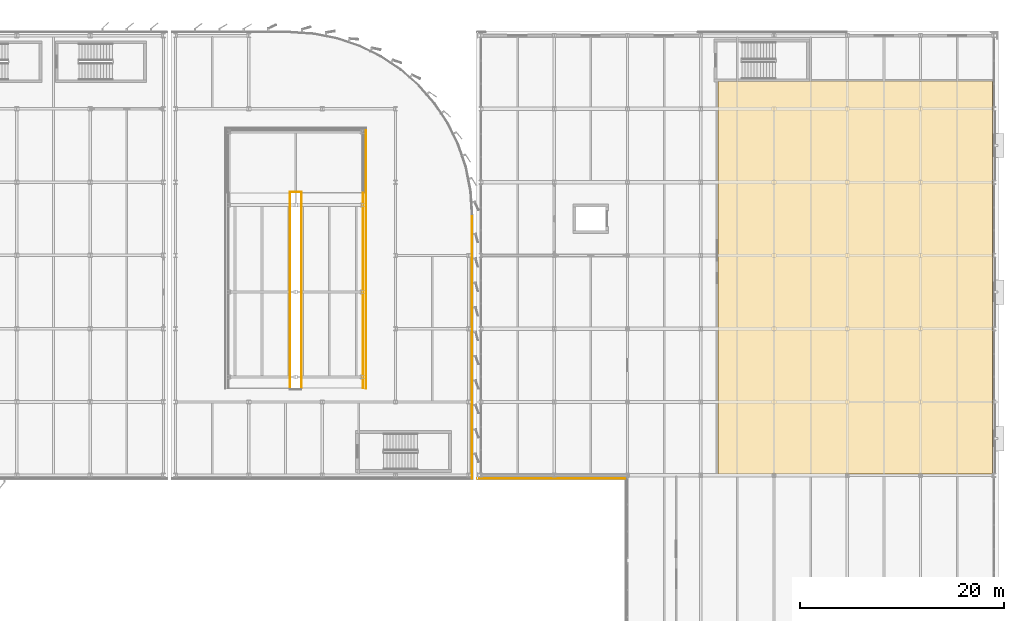
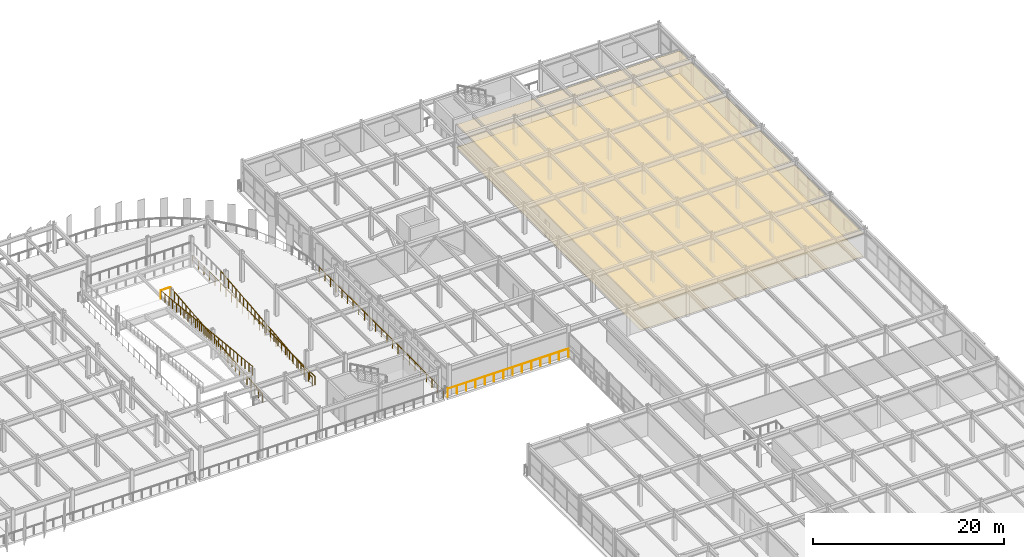
# One storey, part 90 of 93: 16 railings, 2 coverings.
"""IFC4 building model written with IfcOpenShell, lengths in metres."""

from ifc_helpers import new_model, si_unit, direction, frame, origin, origin_2d, place, context, subcontext, project, spatial, polyline, circle, outline, extrude, material, layer, layer_set, type_object, element, save


model = new_model("IFC4")

# Units and contexts
model_context = context("Model", 3, precision=1e-05, world=origin(), true_north=direction((0.0, 1.0)))
body_context = subcontext(model_context, "Body", "Model", "MODEL_VIEW")
ifc_project = project(units=[si_unit("LENGTHUNIT", "METRE"), si_unit("AREAUNIT", "SQUARE_METRE"), si_unit("VOLUMEUNIT", "CUBIC_METRE"), si_unit("PLANEANGLEUNIT", "RADIAN"), si_unit("MASSUNIT", "GRAM", prefix="KILO")], contexts=[model_context])

# Site, building, storey
site_placement = place(None, origin())
site = spatial("IfcSite", under=ifc_project, at=site_placement, CompositionType="ELEMENT")
building_placement = place(site_placement, origin())
building = spatial("IfcBuilding", under=site, at=building_placement, Name="Vaelcorin Mobility Hub", CompositionType="ELEMENT")
storey_placement = place(building_placement, frame((0.0, 0.0, 5.39990234375)))
storey = spatial("IfcBuildingStorey", under=building, at=storey_placement, Name="L01", CompositionType="ELEMENT", Elevation=5.39990234375)

# Coverings
ifc_material_1 = material(Name="Perforated acoustic mineral-fibre ceiling tile")
ifc_layer_1 = layer(ifc_material_1, 0.030029296875)
ifc_layer_set_1 = layer_set([ifc_layer_1], Name="Perforated acoustic mineral-fibre ceiling tile")
covering_type_1 = type_object("IfcCoveringType", Name="COV-CEIL-3", PredefinedType="CEILING", material=ifc_layer_set_1)
covering_1_placement = place(storey_placement, frame((0.0, 0.0, 2.88818359375)))
element("IfcCovering", 1, at=covering_1_placement, inside=storey, type_object=covering_type_1, Name="Upper Tier E-Bike Charging Store Acoustic Ceiling", PredefinedType="CEILING", context=body_context, shape_type="SweptSolid", body=[
    extrude(outline(polyline([(176.93994140625, 76.93994140625), (176.93408203125, 76.93994140625), (176.927978515625, 76.94091796875), (176.923095703125, 76.943115234375), (176.9169921875, 76.945068359375), (176.912109375, 76.947021484375), (176.906982421875, 76.949951171875), (176.902099609375, 76.9541015625), (176.89794921875, 76.9580078125), (176.89404296875, 76.9619140625), (176.889892578125, 76.967041015625), (176.886962890625, 76.971923828125), (176.885009765625, 76.97705078125), (176.883056640625, 76.98291015625), (176.881103515625, 76.988037109375), (176.8798828125, 76.993896484375), (176.8798828125, 77.0), (176.8798828125, 115.4599609375), (176.8798828125, 115.466064453125), (176.881103515625, 115.471923828125), (176.883056640625, 115.47705078125), (176.885009765625, 115.48291015625), (176.886962890625, 115.488037109375), (176.889892578125, 115.492919921875), (176.89404296875, 115.498046875), (176.89794921875, 115.501953125), (176.902099609375, 115.506103515625), (176.906982421875, 115.510009765625), (176.912109375, 115.512939453125), (176.9169921875, 115.514892578125), (176.923095703125, 115.51708984375), (176.927978515625, 115.51904296875), (176.93408203125, 115.52001953125), (176.93994140625, 115.52001953125), (203.800048828125, 115.52001953125), (203.805908203125, 115.52001953125), (203.81201171875, 115.51904296875), (203.81689453125, 115.51708984375), (203.822998046875, 115.514892578125), (203.827880859375, 115.512939453125), (203.8330078125, 115.510009765625), (203.837890625, 115.506103515625), (203.842041015625, 115.501953125), (203.845947265625, 115.498046875), (203.85009765625, 115.492919921875), (203.85302734375, 115.488037109375), (203.85498046875, 115.48291015625), (203.85693359375, 115.47705078125), (203.85888671875, 115.471923828125), (203.860107421875, 115.466064453125), (203.860107421875, 115.4599609375), (203.860107421875, 77.0), (203.860107421875, 76.993896484375), (203.85888671875, 76.988037109375), (203.85693359375, 76.98291015625), (203.85498046875, 76.97705078125), (203.85302734375, 76.971923828125), (203.85009765625, 76.967041015625), (203.845947265625, 76.9619140625), (203.842041015625, 76.9580078125), (203.837890625, 76.9541015625), (203.8330078125, 76.949951171875), (203.827880859375, 76.947021484375), (203.822998046875, 76.945068359375), (203.81689453125, 76.943115234375), (203.81201171875, 76.94091796875), (203.805908203125, 76.93994140625), (203.800048828125, 76.93994140625), (176.93994140625, 76.93994140625)])), origin(), (0.0, 0.0, 1.0), 0.030029296875),
])
ifc_material_2 = material(Name="Polished epoxy-terrazzo concourse flooring")
ifc_layer_2 = layer(ifc_material_2, 0.01806640625)
ifc_layer_set_2 = layer_set([ifc_layer_2], Name="Polished epoxy-terrazzo concourse flooring")
covering_type_2 = type_object("IfcCoveringType", Name="COV-FLR-1", PredefinedType="FLOORING", material=ifc_layer_set_2)
covering_2_placement = place(storey_placement, origin())
element("IfcCovering", 2, at=covering_2_placement, inside=storey, type_object=covering_type_2, Name="Upper Tier E-Bike Charging Store Finish Flooring", PredefinedType="FLOORING", context=body_context, shape_type="SweptSolid", body=[
    extrude(outline(polyline([(176.93994140625, 76.93994140625), (176.93408203125, 76.93994140625), (176.927978515625, 76.94091796875), (176.923095703125, 76.943115234375), (176.9169921875, 76.945068359375), (176.912109375, 76.947021484375), (176.906982421875, 76.949951171875), (176.902099609375, 76.9541015625), (176.89794921875, 76.9580078125), (176.89404296875, 76.9619140625), (176.889892578125, 76.967041015625), (176.886962890625, 76.971923828125), (176.885009765625, 76.97705078125), (176.883056640625, 76.98291015625), (176.881103515625, 76.988037109375), (176.8798828125, 76.993896484375), (176.8798828125, 77.0), (176.8798828125, 115.4599609375), (176.8798828125, 115.466064453125), (176.881103515625, 115.471923828125), (176.883056640625, 115.47705078125), (176.885009765625, 115.48291015625), (176.886962890625, 115.488037109375), (176.889892578125, 115.492919921875), (176.89404296875, 115.498046875), (176.89794921875, 115.501953125), (176.902099609375, 115.506103515625), (176.906982421875, 115.510009765625), (176.912109375, 115.512939453125), (176.9169921875, 115.514892578125), (176.923095703125, 115.51708984375), (176.927978515625, 115.51904296875), (176.93408203125, 115.52001953125), (176.93994140625, 115.52001953125), (203.800048828125, 115.52001953125), (203.805908203125, 115.52001953125), (203.81201171875, 115.51904296875), (203.81689453125, 115.51708984375), (203.822998046875, 115.514892578125), (203.827880859375, 115.512939453125), (203.8330078125, 115.510009765625), (203.837890625, 115.506103515625), (203.842041015625, 115.501953125), (203.845947265625, 115.498046875), (203.85009765625, 115.492919921875), (203.85302734375, 115.488037109375), (203.85498046875, 115.48291015625), (203.85693359375, 115.47705078125), (203.85888671875, 115.471923828125), (203.860107421875, 115.466064453125), (203.860107421875, 115.4599609375), (203.860107421875, 77.0), (203.860107421875, 76.993896484375), (203.85888671875, 76.988037109375), (203.85693359375, 76.98291015625), (203.85498046875, 76.97705078125), (203.85302734375, 76.971923828125), (203.85009765625, 76.967041015625), (203.845947265625, 76.9619140625), (203.842041015625, 76.9580078125), (203.837890625, 76.9541015625), (203.8330078125, 76.949951171875), (203.827880859375, 76.947021484375), (203.822998046875, 76.945068359375), (203.81689453125, 76.943115234375), (203.81201171875, 76.94091796875), (203.805908203125, 76.93994140625), (203.800048828125, 76.93994140625), (176.93994140625, 76.93994140625)])), origin(), (0.0, 0.0, 1.0), 0.01806640625),
])

# Railings
ifc_material_3 = material(Name="Galvanised structural steel ASTM A36", Category="steel")
ifc_layer_3 = layer(ifc_material_3, 0.070068359375)
ifc_layer_set_3 = layer_set([ifc_layer_3], Name="Galvanised structural steel ASTM A36")
railing_type = type_object("IfcRailingType", Name="RL-GUARD-1100", PredefinedType="BALUSTRADE", material=ifc_layer_set_3)
railing_1_placement = place(storey_placement, frame((142.320068359375, 110.919921875, 0.0)))
element("IfcRailing", 3, at=railing_1_placement, inside=storey, type_object=railing_type, Name="L01 Perimeter Guard GR-V2E-L01-WELL-03", PredefinedType="BALUSTRADE", context=body_context, shape_type="SweptSolid", body=[
    extrude(circle(Radius=0.02392578125, at=origin_2d()), frame((0.0, 0.0, 1.076171875), z_axis=(0.0, -1.0, 0.0), x_axis=(1.0, 0.0, 0.0)), (0.0, 0.0, 1.0), 25.579833984375),
    extrude(circle(Radius=0.02099609375, at=origin_2d()), origin(), (0.0, 0.0, 1.0), 1.052001953125),
    extrude(circle(Radius=0.02099609375, at=origin_2d()), frame((0.0, -1.16259765625, 0.0)), (0.0, 0.0, 1.0), 1.052001953125),
    extrude(circle(Radius=0.02099609375, at=origin_2d()), frame((0.0, -2.325439453125, 0.0)), (0.0, 0.0, 1.0), 1.052001953125),
    extrude(circle(Radius=0.02099609375, at=origin_2d()), frame((0.0, -3.488037109375, 0.0)), (0.0, 0.0, 1.0), 1.052001953125),
    extrude(circle(Radius=0.02099609375, at=origin_2d()), frame((0.0, -4.65087890625, 0.0)), (0.0, 0.0, 1.0), 1.052001953125),
    extrude(circle(Radius=0.02099609375, at=origin_2d()), frame((0.0, -5.8134765625, 0.0)), (0.0, 0.0, 1.0), 1.052001953125),
    extrude(circle(Radius=0.02099609375, at=origin_2d()), frame((0.0, -6.976318359375, 0.0)), (0.0, 0.0, 1.0), 1.052001953125),
    extrude(circle(Radius=0.02099609375, at=origin_2d()), frame((0.0, -8.13916015625, 0.0)), (0.0, 0.0, 1.0), 1.052001953125),
    extrude(circle(Radius=0.02099609375, at=origin_2d()), frame((0.0, -9.3017578125, 0.0)), (0.0, 0.0, 1.0), 1.052001953125),
    extrude(circle(Radius=0.02099609375, at=origin_2d()), frame((0.0, -10.46435546875, 0.0)), (0.0, 0.0, 1.0), 1.052001953125),
    extrude(circle(Radius=0.02099609375, at=origin_2d()), frame((0.0, -11.627197265625, 0.0)), (0.0, 0.0, 1.0), 1.052001953125),
    extrude(circle(Radius=0.02099609375, at=origin_2d()), frame((0.0, -12.7900390625, 0.0)), (0.0, 0.0, 1.0), 1.052001953125),
    extrude(circle(Radius=0.02099609375, at=origin_2d()), frame((0.0, -13.95263671875, 0.0)), (0.0, 0.0, 1.0), 1.052001953125),
    extrude(circle(Radius=0.02099609375, at=origin_2d()), frame((0.0, -15.115234375, 0.0)), (0.0, 0.0, 1.0), 1.052001953125),
    extrude(circle(Radius=0.02099609375, at=origin_2d()), frame((0.0, -16.278076171875, 0.0)), (0.0, 0.0, 1.0), 1.052001953125),
    extrude(circle(Radius=0.02099609375, at=origin_2d()), frame((0.0, -17.44091796875, 0.0)), (0.0, 0.0, 1.0), 1.052001953125),
    extrude(circle(Radius=0.02099609375, at=origin_2d()), frame((0.0, -18.603515625, 0.0)), (0.0, 0.0, 1.0), 1.052001953125),
    extrude(circle(Radius=0.02099609375, at=origin_2d()), frame((0.0, -19.76611328125, 0.0)), (0.0, 0.0, 1.0), 1.052001953125),
    extrude(circle(Radius=0.02099609375, at=origin_2d()), frame((0.0, -20.928955078125, 0.0)), (0.0, 0.0, 1.0), 1.052001953125),
    extrude(circle(Radius=0.02099609375, at=origin_2d()), frame((0.0, -22.091796875, 0.0)), (0.0, 0.0, 1.0), 1.052001953125),
    extrude(circle(Radius=0.02099609375, at=origin_2d()), frame((0.0, -23.25439453125, 0.0)), (0.0, 0.0, 1.0), 1.052001953125),
    extrude(circle(Radius=0.02099609375, at=origin_2d()), frame((0.0, -24.4169921875, 0.0)), (0.0, 0.0, 1.0), 1.052001953125),
    extrude(circle(Radius=0.02099609375, at=origin_2d()), frame((0.0, -25.579833984375, 0.0)), (0.0, 0.0, 1.0), 1.052001953125),
])
railing_2_placement = place(storey_placement, frame((135.97998046875, 85.360107421875, 0.0)))
element("IfcRailing", 4, at=railing_2_placement, inside=storey, type_object=railing_type, Name="L01 Ramp Guard GR-V2E-L01-FL1-W-01", PredefinedType="BALUSTRADE", context=body_context, shape_type="SweptSolid", body=[
    extrude(circle(Radius=0.02392578125, at=origin_2d()), frame((0.0, 0.0, 1.076171875), z_axis=(0.0, 0.994860105467, 0.10125892825), x_axis=(-1.0, 0.0, 0.0)), (0.0, 0.0, 1.0), 4.819580078125),
    extrude(circle(Radius=0.02099609375, at=origin_2d()), origin(), (0.0, 0.0, 1.0), 1.052001953125),
    extrude(circle(Radius=0.02099609375, at=origin_2d()), frame((0.0, 0.799072265625, 0.081298828125)), (0.0, 0.0, 1.0), 1.052001953125),
    extrude(circle(Radius=0.02099609375, at=origin_2d()), frame((0.0, 1.598388671875, 0.16259765625)), (0.0, 0.0, 1.0), 1.052001953125),
    extrude(circle(Radius=0.02099609375, at=origin_2d()), frame((0.0, 2.3974609375, 0.244140625)), (0.0, 0.0, 1.0), 1.052001953125),
    extrude(circle(Radius=0.02099609375, at=origin_2d()), frame((0.0, 3.196533203125, 0.325439453125)), (0.0, 0.0, 1.0), 1.052001953125),
    extrude(circle(Radius=0.02099609375, at=origin_2d()), frame((0.0, 3.995849609375, 0.40673828125)), (0.0, 0.0, 1.0), 1.052001953125),
    extrude(circle(Radius=0.02099609375, at=origin_2d()), frame((0.0, 4.794921875, 0.488037109375)), (0.0, 0.0, 1.0), 1.052001953125),
])
railing_3_placement = place(storey_placement, frame((135.97998046875, 90.155029296875, 0.488037109375)))
element("IfcRailing", 5, at=railing_3_placement, inside=storey, type_object=railing_type, Name="L01 Ramp Guard GR-V2E-L01-FL1-W-02", PredefinedType="BALUSTRADE", context=body_context, shape_type="SweptSolid", body=[
    extrude(circle(Radius=0.02392578125, at=origin_2d()), frame((0.0, 0.0, 1.076171875), z_axis=(0.0, 0.994880497217, 0.101058380445), x_axis=(-1.0, 0.0, 0.0)), (0.0, 0.0, 1.0), 4.819580078125),
    extrude(circle(Radius=0.02099609375, at=origin_2d()), origin(), (0.0, 0.0, 1.0), 1.052001953125),
    extrude(circle(Radius=0.02099609375, at=origin_2d()), frame((0.0, 0.799072265625, 0.0810546875)), (0.0, 0.0, 1.0), 1.052001953125),
    extrude(circle(Radius=0.02099609375, at=origin_2d()), frame((0.0, 1.598388671875, 0.162353515625)), (0.0, 0.0, 1.0), 1.052001953125),
    extrude(circle(Radius=0.02099609375, at=origin_2d()), frame((0.0, 2.3974609375, 0.24365234375)), (0.0, 0.0, 1.0), 1.052001953125),
    extrude(circle(Radius=0.02099609375, at=origin_2d()), frame((0.0, 3.196533203125, 0.32470703125)), (0.0, 0.0, 1.0), 1.052001953125),
    extrude(circle(Radius=0.02099609375, at=origin_2d()), frame((0.0, 3.995849609375, 0.40576171875)), (0.0, 0.0, 1.0), 1.052001953125),
    extrude(circle(Radius=0.02099609375, at=origin_2d()), frame((0.0, 4.794921875, 0.487060546875)), (0.0, 0.0, 1.0), 1.052001953125),
])
railing_4_placement = place(storey_placement, frame((135.97998046875, 94.949951171875, 0.97509765625)))
element("IfcRailing", 6, at=railing_4_placement, inside=storey, type_object=railing_type, Name="L01 Ramp Guard GR-V2E-L01-FL1-W-03", PredefinedType="BALUSTRADE", context=body_context, shape_type="SweptSolid", body=[
    extrude(circle(Radius=0.02392578125, at=origin_2d()), frame((0.0, 0.0, 1.076171875), z_axis=(0.0, 0.994881014515, 0.101053287712), x_axis=(-1.0, 0.0, 0.0)), (0.0, 0.0, 1.0), 4.81982421875),
    extrude(circle(Radius=0.02099609375, at=origin_2d()), origin(), (0.0, 0.0, 1.0), 1.052001953125),
    extrude(circle(Radius=0.02099609375, at=origin_2d()), frame((0.0, 0.79931640625, 0.0810546875)), (0.0, 0.0, 1.0), 1.052001953125),
    extrude(circle(Radius=0.02099609375, at=origin_2d()), frame((0.0, 1.598388671875, 0.162353515625)), (0.0, 0.0, 1.0), 1.052001953125),
    extrude(circle(Radius=0.02099609375, at=origin_2d()), frame((0.0, 2.3974609375, 0.24365234375)), (0.0, 0.0, 1.0), 1.052001953125),
    extrude(circle(Radius=0.02099609375, at=origin_2d()), frame((0.0, 3.19677734375, 0.32470703125)), (0.0, 0.0, 1.0), 1.052001953125),
    extrude(circle(Radius=0.02099609375, at=origin_2d()), frame((0.0, 3.99609375, 0.40576171875)), (0.0, 0.0, 1.0), 1.052001953125),
    extrude(circle(Radius=0.02099609375, at=origin_2d()), frame((0.0, 4.795166015625, 0.487060546875)), (0.0, 0.0, 1.0), 1.052001953125),
])
for number, where, name in (
    (7, (135.97998046875, 99.7451171875, 1.462158203125), "L01 Ramp Guard GR-V2E-L01-FL1-W-04"),
    (8, (142.02001953125, 85.360107421875, 0.0), "L01 Ramp Guard GR-V2E-L01-FL1-E-01"),
):
    element("IfcRailing", number, at=place(storey_placement, frame(where)), inside=storey, type_object=railing_type, Name=name, PredefinedType="BALUSTRADE", context=body_context, shape_type="SweptSolid", body=[
        extrude(circle(Radius=0.02392578125, at=origin_2d()), frame((0.0, 0.0, 1.076171875), z_axis=(0.0, 0.994860105467, 0.10125892825), x_axis=(-1.0, 0.0, 0.0)), (0.0, 0.0, 1.0), 4.819580078125),
        extrude(circle(Radius=0.02099609375, at=origin_2d()), origin(), (0.0, 0.0, 1.0), 1.052001953125),
        extrude(circle(Radius=0.02099609375, at=origin_2d()), frame((0.0, 0.799072265625, 0.081298828125)), (0.0, 0.0, 1.0), 1.052001953125),
        extrude(circle(Radius=0.02099609375, at=origin_2d()), frame((0.0, 1.598388671875, 0.16259765625)), (0.0, 0.0, 1.0), 1.052001953125),
        extrude(circle(Radius=0.02099609375, at=origin_2d()), frame((0.0, 2.3974609375, 0.244140625)), (0.0, 0.0, 1.0), 1.052001953125),
        extrude(circle(Radius=0.02099609375, at=origin_2d()), frame((0.0, 3.196533203125, 0.325439453125)), (0.0, 0.0, 1.0), 1.052001953125),
        extrude(circle(Radius=0.02099609375, at=origin_2d()), frame((0.0, 3.995849609375, 0.40673828125)), (0.0, 0.0, 1.0), 1.052001953125),
        extrude(circle(Radius=0.02099609375, at=origin_2d()), frame((0.0, 4.794921875, 0.488037109375)), (0.0, 0.0, 1.0), 1.052001953125),
    ])
railing_5_placement = place(storey_placement, frame((142.02001953125, 90.155029296875, 0.488037109375)))
element("IfcRailing", 9, at=railing_5_placement, inside=storey, type_object=railing_type, Name="L01 Ramp Guard GR-V2E-L01-FL1-E-02", PredefinedType="BALUSTRADE", context=body_context, shape_type="SweptSolid", body=[
    extrude(circle(Radius=0.02392578125, at=origin_2d()), frame((0.0, 0.0, 1.076171875), z_axis=(0.0, 0.994880497217, 0.101058380445), x_axis=(-1.0, 0.0, 0.0)), (0.0, 0.0, 1.0), 4.819580078125),
    extrude(circle(Radius=0.02099609375, at=origin_2d()), origin(), (0.0, 0.0, 1.0), 1.052001953125),
    extrude(circle(Radius=0.02099609375, at=origin_2d()), frame((0.0, 0.799072265625, 0.0810546875)), (0.0, 0.0, 1.0), 1.052001953125),
    extrude(circle(Radius=0.02099609375, at=origin_2d()), frame((0.0, 1.598388671875, 0.162353515625)), (0.0, 0.0, 1.0), 1.052001953125),
    extrude(circle(Radius=0.02099609375, at=origin_2d()), frame((0.0, 2.3974609375, 0.24365234375)), (0.0, 0.0, 1.0), 1.052001953125),
    extrude(circle(Radius=0.02099609375, at=origin_2d()), frame((0.0, 3.196533203125, 0.32470703125)), (0.0, 0.0, 1.0), 1.052001953125),
    extrude(circle(Radius=0.02099609375, at=origin_2d()), frame((0.0, 3.995849609375, 0.40576171875)), (0.0, 0.0, 1.0), 1.052001953125),
    extrude(circle(Radius=0.02099609375, at=origin_2d()), frame((0.0, 4.794921875, 0.487060546875)), (0.0, 0.0, 1.0), 1.052001953125),
])
railing_6_placement = place(storey_placement, frame((142.02001953125, 94.949951171875, 0.97509765625)))
element("IfcRailing", 10, at=railing_6_placement, inside=storey, type_object=railing_type, Name="L01 Ramp Guard GR-V2E-L01-FL1-E-03", PredefinedType="BALUSTRADE", context=body_context, shape_type="SweptSolid", body=[
    extrude(circle(Radius=0.02392578125, at=origin_2d()), frame((0.0, 0.0, 1.076171875), z_axis=(0.0, 0.994881014515, 0.101053287712), x_axis=(-1.0, 0.0, 0.0)), (0.0, 0.0, 1.0), 4.81982421875),
    extrude(circle(Radius=0.02099609375, at=origin_2d()), origin(), (0.0, 0.0, 1.0), 1.052001953125),
    extrude(circle(Radius=0.02099609375, at=origin_2d()), frame((0.0, 0.79931640625, 0.0810546875)), (0.0, 0.0, 1.0), 1.052001953125),
    extrude(circle(Radius=0.02099609375, at=origin_2d()), frame((0.0, 1.598388671875, 0.162353515625)), (0.0, 0.0, 1.0), 1.052001953125),
    extrude(circle(Radius=0.02099609375, at=origin_2d()), frame((0.0, 2.3974609375, 0.24365234375)), (0.0, 0.0, 1.0), 1.052001953125),
    extrude(circle(Radius=0.02099609375, at=origin_2d()), frame((0.0, 3.19677734375, 0.32470703125)), (0.0, 0.0, 1.0), 1.052001953125),
    extrude(circle(Radius=0.02099609375, at=origin_2d()), frame((0.0, 3.99609375, 0.40576171875)), (0.0, 0.0, 1.0), 1.052001953125),
    extrude(circle(Radius=0.02099609375, at=origin_2d()), frame((0.0, 4.795166015625, 0.487060546875)), (0.0, 0.0, 1.0), 1.052001953125),
])
railing_7_placement = place(storey_placement, frame((142.02001953125, 99.7451171875, 1.462158203125)))
element("IfcRailing", 11, at=railing_7_placement, inside=storey, type_object=railing_type, Name="L01 Ramp Guard GR-V2E-L01-FL1-E-04", PredefinedType="BALUSTRADE", context=body_context, shape_type="SweptSolid", body=[
    extrude(circle(Radius=0.02392578125, at=origin_2d()), frame((0.0, 0.0, 1.076171875), z_axis=(0.0, 0.994860105467, 0.10125892825), x_axis=(-1.0, 0.0, 0.0)), (0.0, 0.0, 1.0), 4.819580078125),
    extrude(circle(Radius=0.02099609375, at=origin_2d()), origin(), (0.0, 0.0, 1.0), 1.052001953125),
    extrude(circle(Radius=0.02099609375, at=origin_2d()), frame((0.0, 0.799072265625, 0.081298828125)), (0.0, 0.0, 1.0), 1.052001953125),
    extrude(circle(Radius=0.02099609375, at=origin_2d()), frame((0.0, 1.598388671875, 0.16259765625)), (0.0, 0.0, 1.0), 1.052001953125),
    extrude(circle(Radius=0.02099609375, at=origin_2d()), frame((0.0, 2.3974609375, 0.244140625)), (0.0, 0.0, 1.0), 1.052001953125),
    extrude(circle(Radius=0.02099609375, at=origin_2d()), frame((0.0, 3.196533203125, 0.325439453125)), (0.0, 0.0, 1.0), 1.052001953125),
    extrude(circle(Radius=0.02099609375, at=origin_2d()), frame((0.0, 3.995849609375, 0.40673828125)), (0.0, 0.0, 1.0), 1.052001953125),
    extrude(circle(Radius=0.02099609375, at=origin_2d()), frame((0.0, 4.794921875, 0.488037109375)), (0.0, 0.0, 1.0), 1.052001953125),
])
railing_8_placement = place(storey_placement, frame((134.820068359375, 104.5400390625, 1.9501953125)))
element("IfcRailing", 12, at=railing_8_placement, inside=storey, type_object=railing_type, Name="L01 Ramp Guard GR-V2E-L01-FL2-E-01", PredefinedType="BALUSTRADE", context=body_context, shape_type="SweptSolid", body=[
    extrude(circle(Radius=0.02392578125, at=origin_2d()), frame((0.0, 0.0, 1.076171875), z_axis=(0.0, -0.994865207116, 0.101208792455), x_axis=(1.0, 0.0, 0.0)), (0.0, 0.0, 1.0), 4.819580078125),
    extrude(circle(Radius=0.02099609375, at=origin_2d()), origin(), (0.0, 0.0, 1.0), 1.052001953125),
    extrude(circle(Radius=0.02099609375, at=origin_2d()), frame((0.0, -0.799072265625, 0.081298828125)), (0.0, 0.0, 1.0), 1.052001953125),
    extrude(circle(Radius=0.02099609375, at=origin_2d()), frame((0.0, -1.598388671875, 0.16259765625)), (0.0, 0.0, 1.0), 1.052001953125),
    extrude(circle(Radius=0.02099609375, at=origin_2d()), frame((0.0, -2.3974609375, 0.243896484375)), (0.0, 0.0, 1.0), 1.052001953125),
    extrude(circle(Radius=0.02099609375, at=origin_2d()), frame((0.0, -3.196533203125, 0.3251953125)), (0.0, 0.0, 1.0), 1.052001953125),
    extrude(circle(Radius=0.02099609375, at=origin_2d()), frame((0.0, -3.995849609375, 0.406494140625)), (0.0, 0.0, 1.0), 1.052001953125),
    extrude(circle(Radius=0.02099609375, at=origin_2d()), frame((0.0, -4.794921875, 0.48779296875)), (0.0, 0.0, 1.0), 1.052001953125),
])
railing_9_placement = place(storey_placement, frame((134.820068359375, 99.7451171875, 2.43798828125)))
element("IfcRailing", 13, at=railing_9_placement, inside=storey, type_object=railing_type, Name="L01 Ramp Guard GR-V2E-L01-FL2-E-02", PredefinedType="BALUSTRADE", context=body_context, shape_type="SweptSolid", body=[
    extrude(circle(Radius=0.02392578125, at=origin_2d()), frame((0.0, 0.0, 1.076171875), z_axis=(0.0, -0.994881014515, 0.101053287712), x_axis=(1.0, 0.0, 0.0)), (0.0, 0.0, 1.0), 4.81982421875),
    extrude(circle(Radius=0.02099609375, at=origin_2d()), origin(), (0.0, 0.0, 1.0), 1.052001953125),
    extrude(circle(Radius=0.02099609375, at=origin_2d()), frame((0.0, -0.79931640625, 0.0810546875)), (0.0, 0.0, 1.0), 1.052001953125),
    extrude(circle(Radius=0.02099609375, at=origin_2d()), frame((0.0, -1.598388671875, 0.162353515625)), (0.0, 0.0, 1.0), 1.052001953125),
    extrude(circle(Radius=0.02099609375, at=origin_2d()), frame((0.0, -2.3974609375, 0.24365234375)), (0.0, 0.0, 1.0), 1.052001953125),
    extrude(circle(Radius=0.02099609375, at=origin_2d()), frame((0.0, -3.19677734375, 0.32470703125)), (0.0, 0.0, 1.0), 1.052001953125),
    extrude(circle(Radius=0.02099609375, at=origin_2d()), frame((0.0, -3.99609375, 0.40576171875)), (0.0, 0.0, 1.0), 1.052001953125),
    extrude(circle(Radius=0.02099609375, at=origin_2d()), frame((0.0, -4.795166015625, 0.487060546875)), (0.0, 0.0, 1.0), 1.052001953125),
])
railing_10_placement = place(storey_placement, frame((134.820068359375, 94.949951171875, 2.925048828125)))
element("IfcRailing", 14, at=railing_10_placement, inside=storey, type_object=railing_type, Name="L01 Ramp Guard GR-V2E-L01-FL2-E-03", PredefinedType="BALUSTRADE", context=body_context, shape_type="SweptSolid", body=[
    extrude(circle(Radius=0.02392578125, at=origin_2d()), frame((0.0, 0.0, 1.076171875), z_axis=(0.0, -0.994880497217, 0.101058380445), x_axis=(1.0, 0.0, 0.0)), (0.0, 0.0, 1.0), 4.819580078125),
    extrude(circle(Radius=0.02099609375, at=origin_2d()), origin(), (0.0, 0.0, 1.0), 1.052001953125),
    extrude(circle(Radius=0.02099609375, at=origin_2d()), frame((0.0, -0.799072265625, 0.0810546875)), (0.0, 0.0, 1.0), 1.052001953125),
    extrude(circle(Radius=0.02099609375, at=origin_2d()), frame((0.0, -1.598388671875, 0.162353515625)), (0.0, 0.0, 1.0), 1.052001953125),
    extrude(circle(Radius=0.02099609375, at=origin_2d()), frame((0.0, -2.3974609375, 0.24365234375)), (0.0, 0.0, 1.0), 1.052001953125),
    extrude(circle(Radius=0.02099609375, at=origin_2d()), frame((0.0, -3.196533203125, 0.32470703125)), (0.0, 0.0, 1.0), 1.052001953125),
    extrude(circle(Radius=0.02099609375, at=origin_2d()), frame((0.0, -3.995849609375, 0.40576171875)), (0.0, 0.0, 1.0), 1.052001953125),
    extrude(circle(Radius=0.02099609375, at=origin_2d()), frame((0.0, -4.794921875, 0.487060546875)), (0.0, 0.0, 1.0), 1.052001953125),
])
railing_11_placement = place(storey_placement, frame((134.820068359375, 90.155029296875, 3.412109375)))
element("IfcRailing", 15, at=railing_11_placement, inside=storey, type_object=railing_type, Name="L01 Ramp Guard GR-V2E-L01-FL2-E-04", PredefinedType="BALUSTRADE", context=body_context, shape_type="SweptSolid", body=[
    extrude(circle(Radius=0.02392578125, at=origin_2d()), frame((0.0, 0.0, 1.076171875), z_axis=(0.0, -0.994860105467, 0.10125892825), x_axis=(1.0, 0.0, 0.0)), (0.0, 0.0, 1.0), 4.819580078125),
    extrude(circle(Radius=0.02099609375, at=origin_2d()), origin(), (0.0, 0.0, 1.0), 1.052001953125),
    extrude(circle(Radius=0.02099609375, at=origin_2d()), frame((0.0, -0.799072265625, 0.081298828125)), (0.0, 0.0, 1.0), 1.052001953125),
    extrude(circle(Radius=0.02099609375, at=origin_2d()), frame((0.0, -1.598388671875, 0.16259765625)), (0.0, 0.0, 1.0), 1.052001953125),
    extrude(circle(Radius=0.02099609375, at=origin_2d()), frame((0.0, -2.3974609375, 0.244140625)), (0.0, 0.0, 1.0), 1.052001953125),
    extrude(circle(Radius=0.02099609375, at=origin_2d()), frame((0.0, -3.196533203125, 0.325439453125)), (0.0, 0.0, 1.0), 1.052001953125),
    extrude(circle(Radius=0.02099609375, at=origin_2d()), frame((0.0, -3.995849609375, 0.40673828125)), (0.0, 0.0, 1.0), 1.052001953125),
    extrude(circle(Radius=0.02099609375, at=origin_2d()), frame((0.0, -4.794921875, 0.488037109375)), (0.0, 0.0, 1.0), 1.052001953125),
])
railing_12_placement = place(storey_placement, frame((134.820068359375, 104.639892578125, 1.9501953125)))
element("IfcRailing", 16, at=railing_12_placement, inside=storey, type_object=railing_type, Name="L01 Perimeter Guard GR-V2E-L01-LND-MED-01", PredefinedType="BALUSTRADE", context=body_context, shape_type="SweptSolid", body=[
    extrude(circle(Radius=0.02392578125, at=origin_2d()), frame((0.0, 0.0, 1.076171875), z_axis=(1.0, 0.0, 0.0), x_axis=(0.0, 1.0, 0.0)), (0.0, 0.0, 1.0), 1.159912109375),
    extrude(circle(Radius=0.02099609375, at=origin_2d()), origin(), (0.0, 0.0, 1.0), 1.052001953125),
    extrude(circle(Radius=0.02099609375, at=origin_2d()), frame((1.159912109375, 0.0, 0.0)), (0.0, 0.0, 1.0), 1.052001953125),
])
railing_13_placement = place(storey_placement, frame((152.72998046875, 102.449951171875, 0.0)))
element("IfcRailing", 17, at=railing_13_placement, inside=storey, type_object=railing_type, Name="L01 Perimeter Guard GR-V2E-L01-14", PredefinedType="BALUSTRADE", context=body_context, shape_type="SweptSolid", body=[
    extrude(circle(Radius=0.02392578125, at=origin_2d()), frame((0.0, 0.0, 1.076171875), z_axis=(0.0, -1.0, 0.0), x_axis=(1.0, 0.0, 0.0)), (0.0, 0.0, 1.0), 25.97998046875),
    extrude(circle(Radius=0.02099609375, at=origin_2d()), origin(), (0.0, 0.0, 1.0), 1.052001953125),
    extrude(circle(Radius=0.02099609375, at=origin_2d()), frame((0.0, -1.180908203125, 0.0)), (0.0, 0.0, 1.0), 1.052001953125),
    extrude(circle(Radius=0.02099609375, at=origin_2d()), frame((0.0, -2.36181640625, 0.0)), (0.0, 0.0, 1.0), 1.052001953125),
    extrude(circle(Radius=0.02099609375, at=origin_2d()), frame((0.0, -3.542724609375, 0.0)), (0.0, 0.0, 1.0), 1.052001953125),
    extrude(circle(Radius=0.02099609375, at=origin_2d()), frame((0.0, -4.7236328125, 0.0)), (0.0, 0.0, 1.0), 1.052001953125),
    extrude(circle(Radius=0.02099609375, at=origin_2d()), frame((0.0, -5.904541015625, 0.0)), (0.0, 0.0, 1.0), 1.052001953125),
    extrude(circle(Radius=0.02099609375, at=origin_2d()), frame((0.0, -7.08544921875, 0.0)), (0.0, 0.0, 1.0), 1.052001953125),
    extrude(circle(Radius=0.02099609375, at=origin_2d()), frame((0.0, -8.266357421875, 0.0)), (0.0, 0.0, 1.0), 1.052001953125),
    extrude(circle(Radius=0.02099609375, at=origin_2d()), frame((0.0, -9.447265625, 0.0)), (0.0, 0.0, 1.0), 1.052001953125),
    extrude(circle(Radius=0.02099609375, at=origin_2d()), frame((0.0, -10.628173828125, 0.0)), (0.0, 0.0, 1.0), 1.052001953125),
    extrude(circle(Radius=0.02099609375, at=origin_2d()), frame((0.0, -11.80908203125, 0.0)), (0.0, 0.0, 1.0), 1.052001953125),
    extrude(circle(Radius=0.02099609375, at=origin_2d()), frame((0.0, -12.989990234375, 0.0)), (0.0, 0.0, 1.0), 1.052001953125),
    extrude(circle(Radius=0.02099609375, at=origin_2d()), frame((0.0, -14.1708984375, 0.0)), (0.0, 0.0, 1.0), 1.052001953125),
    extrude(circle(Radius=0.02099609375, at=origin_2d()), frame((0.0, -15.351806640625, 0.0)), (0.0, 0.0, 1.0), 1.052001953125),
    extrude(circle(Radius=0.02099609375, at=origin_2d()), frame((0.0, -16.53271484375, 0.0)), (0.0, 0.0, 1.0), 1.052001953125),
    extrude(circle(Radius=0.02099609375, at=origin_2d()), frame((0.0, -17.713623046875, 0.0)), (0.0, 0.0, 1.0), 1.052001953125),
    extrude(circle(Radius=0.02099609375, at=origin_2d()), frame((0.0, -18.89453125, 0.0)), (0.0, 0.0, 1.0), 1.052001953125),
    extrude(circle(Radius=0.02099609375, at=origin_2d()), frame((0.0, -20.075439453125, 0.0)), (0.0, 0.0, 1.0), 1.052001953125),
    extrude(circle(Radius=0.02099609375, at=origin_2d()), frame((0.0, -21.25634765625, 0.0)), (0.0, 0.0, 1.0), 1.052001953125),
    extrude(circle(Radius=0.02099609375, at=origin_2d()), frame((0.0, -22.437255859375, 0.0)), (0.0, 0.0, 1.0), 1.052001953125),
    extrude(circle(Radius=0.02099609375, at=origin_2d()), frame((0.0, -23.6181640625, 0.0)), (0.0, 0.0, 1.0), 1.052001953125),
    extrude(circle(Radius=0.02099609375, at=origin_2d()), frame((0.0, -24.799072265625, 0.0)), (0.0, 0.0, 1.0), 1.052001953125),
    extrude(circle(Radius=0.02099609375, at=origin_2d()), frame((0.0, -25.97998046875, 0.0)), (0.0, 0.0, 1.0), 1.052001953125),
])
railing_14_placement = place(storey_placement, frame((167.8798828125, 76.469970703125, 0.0)))
element("IfcRailing", 18, at=railing_14_placement, inside=storey, type_object=railing_type, Name="L01 Perimeter Guard GR-V5-L01-NOTCH-04", PredefinedType="BALUSTRADE", context=body_context, shape_type="SweptSolid", body=[
    extrude(circle(Radius=0.02392578125, at=origin_2d()), frame((0.0, 0.0, 1.076171875), z_axis=(-1.0, 0.0, 0.0), x_axis=(0.0, -1.0, 0.0)), (0.0, 0.0, 1.0), 14.60986328125),
    extrude(circle(Radius=0.02099609375, at=origin_2d()), origin(), (0.0, 0.0, 1.0), 1.052001953125),
    extrude(circle(Radius=0.02099609375, at=origin_2d()), frame((-1.123779296875, 0.0, 0.0)), (0.0, 0.0, 1.0), 1.052001953125),
    extrude(circle(Radius=0.02099609375, at=origin_2d()), frame((-2.24755859375, 0.0, 0.0)), (0.0, 0.0, 1.0), 1.052001953125),
    extrude(circle(Radius=0.02099609375, at=origin_2d()), frame((-3.37158203125, 0.0, 0.0)), (0.0, 0.0, 1.0), 1.052001953125),
    extrude(circle(Radius=0.02099609375, at=origin_2d()), frame((-4.495361328125, 0.0, 0.0)), (0.0, 0.0, 1.0), 1.052001953125),
    extrude(circle(Radius=0.02099609375, at=origin_2d()), frame((-5.619140625, 0.0, 0.0)), (0.0, 0.0, 1.0), 1.052001953125),
    extrude(circle(Radius=0.02099609375, at=origin_2d()), frame((-6.742919921875, 0.0, 0.0)), (0.0, 0.0, 1.0), 1.052001953125),
    extrude(circle(Radius=0.02099609375, at=origin_2d()), frame((-7.866943359375, 0.0, 0.0)), (0.0, 0.0, 1.0), 1.052001953125),
    extrude(circle(Radius=0.02099609375, at=origin_2d()), frame((-8.99072265625, 0.0, 0.0)), (0.0, 0.0, 1.0), 1.052001953125),
    extrude(circle(Radius=0.02099609375, at=origin_2d()), frame((-10.114501953125, 0.0, 0.0)), (0.0, 0.0, 1.0), 1.052001953125),
    extrude(circle(Radius=0.02099609375, at=origin_2d()), frame((-11.23828125, 0.0, 0.0)), (0.0, 0.0, 1.0), 1.052001953125),
    extrude(circle(Radius=0.02099609375, at=origin_2d()), frame((-12.3623046875, 0.0, 0.0)), (0.0, 0.0, 1.0), 1.052001953125),
    extrude(circle(Radius=0.02099609375, at=origin_2d()), frame((-13.486083984375, 0.0, 0.0)), (0.0, 0.0, 1.0), 1.052001953125),
    extrude(circle(Radius=0.02099609375, at=origin_2d()), frame((-14.60986328125, 0.0, 0.0)), (0.0, 0.0, 1.0), 1.052001953125),
])

save(model, "model.ifc")
